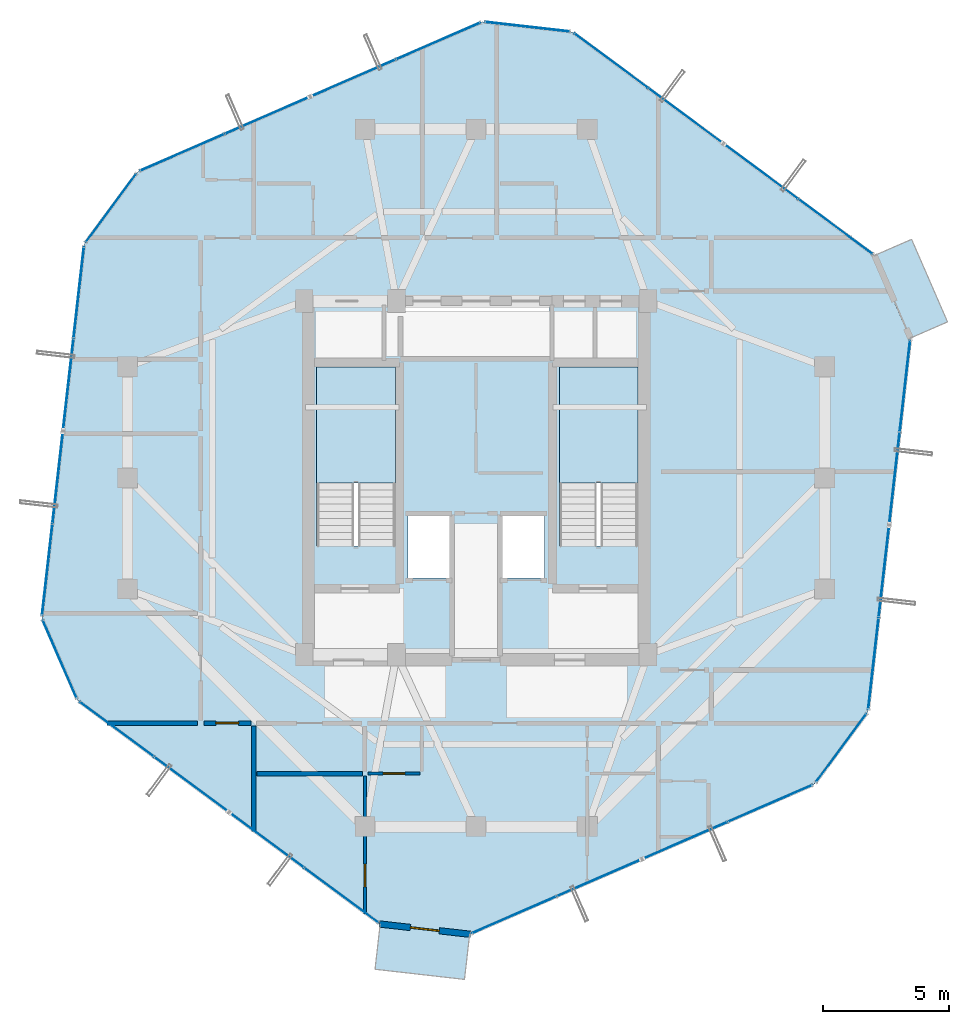
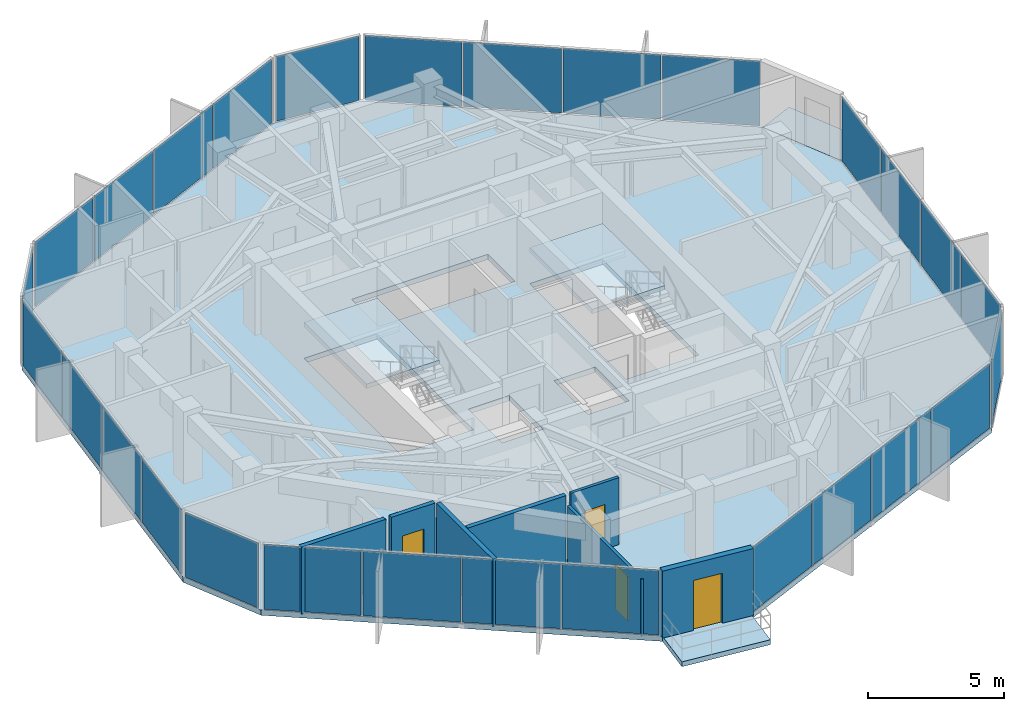
# One storey, part 25 of 30: 28 plates, 7 walls, 5 slabs, 4 doors, 4 openings, 12 elements without a shape of their own.
"""IFC4 building model written with IfcOpenShell, lengths in metres."""

from ifc_helpers import new_model, si_unit, direction, frame, frame_2d, origin, origin_2d, place, context, subcontext, project, spatial, polyline, rectangle, outline, extrude, source, transform, mapped, material, layer, layer_set, type_object, element, fill, aggregate, save


model = new_model("IFC4")

# Units and contexts
model_context = context("Model", 3, precision=1e-05, world=origin(), true_north=direction((0.0, 1.0)))
body_context = subcontext(model_context, "Body", "Model", "MODEL_VIEW")
ifc_project = project(units=[si_unit("LENGTHUNIT", "METRE"), si_unit("AREAUNIT", "SQUARE_METRE"), si_unit("VOLUMEUNIT", "CUBIC_METRE"), si_unit("PLANEANGLEUNIT", "RADIAN"), si_unit("MASSUNIT", "GRAM", prefix="KILO")], contexts=[model_context])

# Site, building, storey
site_placement = place(None, origin())
site = spatial("IfcSite", under=ifc_project, at=site_placement, CompositionType="ELEMENT")
building_placement = place(site_placement, origin())
building = spatial("IfcBuilding", under=site, at=building_placement, Name="Veraguas Prism Commons", CompositionType="ELEMENT")
storey_placement = place(building_placement, frame((0.0, 0.0, 230.050048828125)))
storey = spatial("IfcBuildingStorey", under=building, at=storey_placement, Name="L65", CompositionType="ELEMENT", Elevation=230.050048828125)

# Stair, slab
ifc_material_1 = material(Name="Precast concrete C45/55", Category="concrete")
stair_type = type_object("IfcStairType", Name="Dogleg Core Stair 1480W 20R 05", PredefinedType="HALF_TURN_STAIR", material=ifc_material_1)
stair_1_placement = place(storey_placement, origin())
stair_1 = element("IfcStair", 1, at=stair_1_placement, inside=storey, type_object=stair_type, Name="Protected Exit Stair ST-01 L65", PredefinedType="HALF_TURN_STAIR")
ifc_layer_1 = layer(ifc_material_1, 0.199951171875, Name="Precast Stair and Ramp Landing Slab 200", Category="concrete")
ifc_layer_set_1 = layer_set([ifc_layer_1], Name="Precast concrete C45/55")
slab_type_1 = type_object("IfcSlabType", Name="Precast Stair and Ramp Landing Slab 200", PredefinedType="LANDING", material=ifc_layer_set_1)
slab_1_placement = place(storey_placement, frame((0.0, 0.0, 1.425048828125)))
slab_1 = element("IfcSlab", 2, at=slab_1_placement, type_object=slab_type_1, Name="ST-05 Landing 1", PredefinedType="LANDING", context=body_context, shape_type="SweptSolid", body=[
    extrude(outline(polyline([(20.800048828125, 23.800048828125), (20.800048828125, 28.39990234375), (17.68994140625, 28.39990234375), (17.68994140625, 23.800048828125), (20.800048828125, 23.800048828125)])), origin(), (0.0, 0.0, 1.0), 0.199951171875),
])
aggregate(stair_1, [slab_1])

stair_2_placement = place(storey_placement, origin())
stair_2 = element("IfcStair", 3, at=stair_2_placement, inside=storey, type_object=stair_type, Name="Protected Exit Stair ST-02 L65", PredefinedType="HALF_TURN_STAIR")
slab_2_placement = place(storey_placement, frame((0.0, 0.0, 1.425048828125)))
slab_2 = element("IfcSlab", 4, at=slab_2_placement, type_object=slab_type_1, Name="ST-05 Landing 1", PredefinedType="LANDING", context=body_context, shape_type="SweptSolid", body=[
    extrude(outline(polyline([(30.39990234375, 23.800048828125), (30.39990234375, 28.39990234375), (27.2900390625, 28.39990234375), (27.2900390625, 23.800048828125), (30.39990234375, 23.800048828125)])), origin(), (0.0, 0.0, 1.0), 0.199951171875),
])
aggregate(stair_2, [slab_2])

# Slabs
ifc_material_2 = material(Name="Concrete C45/55", Category="concrete")
ifc_layer_2 = layer(ifc_material_2, 0.219970703125, Name="Recessed Loggia and Terrace Slab RC 220", Category="concrete")
ifc_layer_set_2 = layer_set([ifc_layer_2], Name="Concrete C45/55")
slab_type_2 = type_object("IfcSlabType", Name="Recessed Loggia and Terrace Slab RC 220", PredefinedType="FLOOR", material=ifc_layer_set_2)
slab_3_placement = place(storey_placement, frame((0.0, 0.0, -0.219970703125)))
element("IfcSlab", 5, at=slab_3_placement, inside=storey, type_object=slab_type_2, Name="Recessed Corner Loggia L65-C1", PredefinedType="FLOOR", context=body_context, shape_type="SweptSolid", body=[
    extrude(outline(polyline([(41.171142578125, 29.530517578125), (42.656494140625, 30.177001953125), (41.23486328125, 33.443603515625), (39.74951171875, 32.797119140625), (41.171142578125, 29.530517578125)])), origin(), (0.0, 0.0, 1.0), 0.219970703125),
])
slab_4_placement = place(storey_placement, frame((0.0, 0.0, -0.219970703125)))
element("IfcSlab", 6, at=slab_4_placement, inside=storey, type_object=slab_type_2, Name="Setback Sky Terrace L65", PredefinedType="FLOOR", context=body_context, shape_type="SweptSolid", body=[
    extrude(outline(polyline([(20.2041015625, 6.364013671875), (19.998779296875, 4.5556640625), (23.53857421875, 4.15380859375), (23.743896484375, 5.962158203125), (20.2041015625, 6.364013671875)])), origin(), (0.0, 0.0, 1.0), 0.219970703125),
])
ifc_layer_3 = layer(ifc_material_2, 0.235107421875, Name="Tower Upper Residential Floor Slab RC 235", Category="concrete")
ifc_layer_set_3 = layer_set([ifc_layer_3], Name="Concrete C45/55")
slab_type_3 = type_object("IfcSlabType", Name="Tower Upper Residential Floor Slab RC 235", PredefinedType="FLOOR", material=ifc_layer_set_3)
slab_5_placement = place(storey_placement, frame((0.0, 0.0, -0.235107421875)))
element("IfcSlab", 7, at=slab_5_placement, inside=storey, type_object=slab_type_3, Name="Tower Floor Slab L65", PredefinedType="FLOOR", context=body_context, shape_type="SweptSolid", body=[
    extrude(outline(polyline([(41.189453125, 29.53857421875), (39.767578125, 32.80517578125), (27.798095703125, 41.65576171875), (24.25830078125, 42.057861328125), (10.608642578125, 36.1171875), (8.49072265625, 33.252685546875), (6.810546875, 18.46142578125), (8.232421875, 15.19482421875), (20.201904296875, 6.34423828125), (23.74169921875, 5.942138671875), (37.391357421875, 11.8828125), (39.50927734375, 14.747314453125), (41.189453125, 29.53857421875)]), holes=[polyline([(20.800048828125, 21.31005859375), (20.800048828125, 28.39990234375), (17.68994140625, 28.39990234375), (17.68994140625, 21.31005859375), (20.800048828125, 21.31005859375)]), polyline([(30.39990234375, 21.31005859375), (30.39990234375, 28.39990234375), (27.2900390625, 28.39990234375), (27.2900390625, 21.31005859375), (30.39990234375, 21.31005859375)]), polyline([(21.10009765625, 28.800048828125), (26.89990234375, 28.800048828125), (26.89990234375, 30.800048828125), (21.10009765625, 30.800048828125), (21.10009765625, 28.800048828125)]), polyline([(21.300048828125, 20.050048828125), (23.050048828125, 20.050048828125), (23.050048828125, 22.550048828125), (21.300048828125, 22.550048828125), (21.300048828125, 20.050048828125)]), polyline([(24.949951171875, 20.050048828125), (26.699951171875, 20.050048828125), (26.699951171875, 22.550048828125), (24.949951171875, 22.550048828125), (24.949951171875, 20.050048828125)])]), origin(), (0.0, 0.0, 1.0), 0.235107421875),
])

# Curtain wall, plates
ifc_material_3 = material(Name="Anodised aluminium EN AW-6063 T6", Category="aluminium")
ifc_layer_4 = layer(ifc_material_3, 0.14990234375, Name="Unitised Flush Curtain Wall Zone 4", Category="aluminium")
ifc_layer_set_4 = layer_set([ifc_layer_4], Name="Anodised aluminium EN AW-6063 T6")
curtain_wall_type = type_object("IfcCurtainWallType", Name="Unitised Flush Curtain Wall Zone 4", PredefinedType="NOTDEFINED", material=ifc_layer_set_4)
curtain_wall_1_placement = place(storey_placement, origin())
curtain_wall_1 = element("IfcCurtainWall", 8, at=curtain_wall_1_placement, inside=storey, type_object=curtain_wall_type, Name="Tower Facade Curtain Wall L65-F1", PredefinedType="NOTDEFINED")
ifc_material_4 = material(Name="Laminated low-e glass", Category="glass")
ifc_layer_5 = layer(ifc_material_4, 0.028076171875, Name="Unitised Double Low-E Glazed Panel 28", Category="glass")
ifc_layer_set_5 = layer_set([ifc_layer_5], Name="Laminated low-e glass")
plate_type = type_object("IfcPlateType", Name="Unitised Double Low-E Glazed Panel 28", PredefinedType="CURTAIN_PANEL", material=ifc_layer_set_5)
shared_shape_1 = source(origin(), body_context, "Body", "SweptSolid", [
    extrude(rectangle(XDim=3.6015625, YDim=0.028076171875, at=origin_2d()), origin(), (0.0, 0.0, 1.0), 2.905029296875),
])
plate_1_placement = place(storey_placement, frame((38.223388671875, 33.947265625, 0.05517578125), z_axis=(0.0, 0.0, 1.0), x_axis=(-0.804067556966, 0.59453794146, 0.0)))
plate_1 = element("IfcPlate", 9, at=plate_1_placement, type_object=plate_type, Name="CW-Z4 Panel 1.1", PredefinedType="CURTAIN_PANEL", context=body_context, shape_type="MappedRepresentation", body=[
    mapped(shared_shape_1, transform((0.0, 0.0, 0.0), scale=1.0)),
])
plate_2_placement = place(storey_placement, frame((29.342529296875, 40.513671875, 0.05517578125), z_axis=(0.0, 0.0, 1.0), x_axis=(-0.804067556966, 0.59453794146, 0.0)))
plate_2 = element("IfcPlate", 10, at=plate_2_placement, type_object=plate_type, Name="CW-Z4 Panel 4.1", PredefinedType="CURTAIN_PANEL", context=body_context, shape_type="MappedRepresentation", body=[
    mapped(shared_shape_1, transform((0.0, 0.0, 0.0), scale=1.0)),
])

curtain_wall_2_placement = place(storey_placement, origin())
curtain_wall_2 = element("IfcCurtainWall", 11, at=curtain_wall_2_placement, inside=storey, type_object=curtain_wall_type, Name="Tower Facade Curtain Wall L65-F2", PredefinedType="NOTDEFINED")
plate_3_placement = place(storey_placement, frame((22.4970703125, 41.291259765625, 0.05517578125), z_axis=(0.0, 0.0, 1.0), x_axis=(-0.916918739301, -0.399073959961, 0.0)))
plate_3 = element("IfcPlate", 12, at=plate_3_placement, type_object=plate_type, Name="CW-Z4 Panel 1.1", PredefinedType="CURTAIN_PANEL", context=body_context, shape_type="MappedRepresentation", body=[
    mapped(shared_shape_1, transform((0.0, 0.0, 0.0), scale=1.0)),
])
plate_4_placement = place(storey_placement, frame((12.369873046875, 36.883544921875, 0.05517578125), z_axis=(0.0, 0.0, 1.0), x_axis=(-0.916918739301, -0.399073959961, 0.0)))
plate_4 = element("IfcPlate", 13, at=plate_4_placement, type_object=plate_type, Name="CW-Z4 Panel 4.1", PredefinedType="CURTAIN_PANEL", context=body_context, shape_type="MappedRepresentation", body=[
    mapped(shared_shape_1, transform((0.0, 0.0, 0.0), scale=1.0)),
])

curtain_wall_3_placement = place(storey_placement, origin())
curtain_wall_3 = element("IfcCurtainWall", 14, at=curtain_wall_3_placement, inside=storey, type_object=curtain_wall_type, Name="Tower Facade Curtain Wall L65-F3", PredefinedType="NOTDEFINED")
plate_5_placement = place(storey_placement, frame((8.27392578125, 31.343994140625, 0.05517578125), z_axis=(0.0, 0.0, 1.0), x_axis=(-0.112858119052, -0.993611113547, 0.0)))
plate_5 = element("IfcPlate", 15, at=plate_5_placement, type_object=plate_type, Name="CW-Z4 Panel 1.1", PredefinedType="CURTAIN_PANEL", context=body_context, shape_type="MappedRepresentation", body=[
    mapped(shared_shape_1, transform((0.0, 0.0, 0.0), scale=1.0)),
])
plate_6_placement = place(storey_placement, frame((7.02734375, 20.369873046875, 0.05517578125), z_axis=(0.0, 0.0, 1.0), x_axis=(-0.112858119052, -0.993611113547, 0.0)))
plate_6 = element("IfcPlate", 16, at=plate_6_placement, type_object=plate_type, Name="CW-Z4 Panel 4.1", PredefinedType="CURTAIN_PANEL", context=body_context, shape_type="MappedRepresentation", body=[
    mapped(shared_shape_1, transform((0.0, 0.0, 0.0), scale=1.0)),
])

curtain_wall_4_placement = place(storey_placement, origin())
curtain_wall_4 = element("IfcCurtainWall", 17, at=curtain_wall_4_placement, inside=storey, type_object=curtain_wall_type, Name="Tower Facade Curtain Wall L65-F4", PredefinedType="NOTDEFINED")
plate_7_placement = place(storey_placement, frame((9.776611328125, 14.052734375, 0.05517578125), z_axis=(0.0, 0.0, 1.0), x_axis=(0.804067556966, -0.59453794146, 0.0)))
plate_7 = element("IfcPlate", 18, at=plate_7_placement, type_object=plate_type, Name="CW-Z4 Panel 1.1", PredefinedType="CURTAIN_PANEL", context=body_context, shape_type="MappedRepresentation", body=[
    mapped(shared_shape_1, transform((0.0, 0.0, 0.0), scale=1.0)),
])
plate_8_placement = place(storey_placement, frame((18.657470703125, 7.486328125, 0.05517578125), z_axis=(0.0, 0.0, 1.0), x_axis=(0.804067556966, -0.59453794146, 0.0)))
plate_8 = element("IfcPlate", 19, at=plate_8_placement, type_object=plate_type, Name="CW-Z4 Panel 4.1", PredefinedType="CURTAIN_PANEL", context=body_context, shape_type="MappedRepresentation", body=[
    mapped(shared_shape_1, transform((0.0, 0.0, 0.0), scale=1.0)),
])

curtain_wall_5_placement = place(storey_placement, origin())
curtain_wall_5 = element("IfcCurtainWall", 20, at=curtain_wall_5_placement, inside=storey, type_object=curtain_wall_type, Name="Tower Facade Curtain Wall L65-F5", PredefinedType="NOTDEFINED")
plate_9_placement = place(storey_placement, frame((25.5029296875, 6.708740234375, 0.05517578125), z_axis=(0.0, 0.0, 1.0), x_axis=(0.916918739301, 0.399073959961, 0.0)))
plate_9 = element("IfcPlate", 21, at=plate_9_placement, type_object=plate_type, Name="CW-Z4 Panel 1.1", PredefinedType="CURTAIN_PANEL", context=body_context, shape_type="MappedRepresentation", body=[
    mapped(shared_shape_1, transform((0.0, 0.0, 0.0), scale=1.0)),
])
plate_10_placement = place(storey_placement, frame((35.630126953125, 11.116455078125, 0.05517578125), z_axis=(0.0, 0.0, 1.0), x_axis=(0.916918739301, 0.399073959961, 0.0)))
plate_10 = element("IfcPlate", 22, at=plate_10_placement, type_object=plate_type, Name="CW-Z4 Panel 4.1", PredefinedType="CURTAIN_PANEL", context=body_context, shape_type="MappedRepresentation", body=[
    mapped(shared_shape_1, transform((0.0, 0.0, 0.0), scale=1.0)),
])

curtain_wall_6_placement = place(storey_placement, origin())
curtain_wall_6 = element("IfcCurtainWall", 23, at=curtain_wall_6_placement, inside=storey, type_object=curtain_wall_type, Name="Tower Facade Curtain Wall L65-F6", PredefinedType="NOTDEFINED")
plate_11_placement = place(storey_placement, frame((39.72607421875, 16.656005859375, 0.05517578125), z_axis=(0.0, 0.0, 1.0), x_axis=(0.112858119052, 0.993611113547, 0.0)))
plate_11 = element("IfcPlate", 24, at=plate_11_placement, type_object=plate_type, Name="CW-Z4 Panel 1.1", PredefinedType="CURTAIN_PANEL", context=body_context, shape_type="MappedRepresentation", body=[
    mapped(shared_shape_1, transform((0.0, 0.0, 0.0), scale=1.0)),
])
plate_12_placement = place(storey_placement, frame((40.97265625, 27.630126953125, 0.05517578125), z_axis=(0.0, 0.0, 1.0), x_axis=(0.112858119052, 0.993611113547, 0.0)))
plate_12 = element("IfcPlate", 25, at=plate_12_placement, type_object=plate_type, Name="CW-Z4 Panel 4.1", PredefinedType="CURTAIN_PANEL", context=body_context, shape_type="MappedRepresentation", body=[
    mapped(shared_shape_1, transform((0.0, 0.0, 0.0), scale=1.0)),
])

# Plate
shared_shape_2 = source(origin(), body_context, "Body", "SweptSolid", [
    extrude(rectangle(XDim=3.631591796875, YDim=0.028076171875, at=origin_2d()), origin(), (0.0, 0.0, 1.0), 2.905029296875),
])
plate_13_placement = place(storey_placement, frame((35.26708984375, 36.133056640625, 0.05517578125), z_axis=(0.0, 0.0, 1.0), x_axis=(-0.804067556966, 0.59453794146, 0.0)))
plate_13 = element("IfcPlate", 26, at=plate_13_placement, type_object=plate_type, Name="CW-Z4 Panel 2.1", PredefinedType="CURTAIN_PANEL", context=body_context, shape_type="MappedRepresentation", body=[
    mapped(shared_shape_2, transform((0.0, 0.0, 0.0), scale=1.0)),
])

plate_14_placement = place(storey_placement, frame((32.298828125, 38.327880859375, 0.05517578125), z_axis=(0.0, 0.0, 1.0), x_axis=(-0.804067556966, 0.59453794146, 0.0)))
plate_14 = element("IfcPlate", 27, at=plate_14_placement, type_object=plate_type, Name="CW-Z4 Panel 3.1", PredefinedType="CURTAIN_PANEL", context=body_context, shape_type="MappedRepresentation", body=[
    mapped(shared_shape_2, transform((0.0, 0.0, 0.0), scale=1.0)),
])

aggregate(curtain_wall_1, [plate_1, plate_13, plate_14, plate_2])

plate_15_placement = place(storey_placement, frame((19.1259765625, 39.823974609375, 0.05517578125), z_axis=(0.0, 0.0, 1.0), x_axis=(-0.916918739301, -0.399073959961, 0.0)))
plate_15 = element("IfcPlate", 28, at=plate_15_placement, type_object=plate_type, Name="CW-Z4 Panel 2.1", PredefinedType="CURTAIN_PANEL", context=body_context, shape_type="MappedRepresentation", body=[
    mapped(shared_shape_2, transform((0.0, 0.0, 0.0), scale=1.0)),
])

plate_16_placement = place(storey_placement, frame((15.740966796875, 38.350830078125, 0.05517578125), z_axis=(0.0, 0.0, 1.0), x_axis=(-0.916918739301, -0.399073959961, 0.0)))
plate_16 = element("IfcPlate", 29, at=plate_16_placement, type_object=plate_type, Name="CW-Z4 Panel 3.1", PredefinedType="CURTAIN_PANEL", context=body_context, shape_type="MappedRepresentation", body=[
    mapped(shared_shape_2, transform((0.0, 0.0, 0.0), scale=1.0)),
])

aggregate(curtain_wall_2, [plate_3, plate_15, plate_16, plate_4])

plate_17_placement = place(storey_placement, frame((7.85888671875, 27.69091796875, 0.05517578125), z_axis=(0.0, 0.0, 1.0), x_axis=(-0.112858119052, -0.993611113547, 0.0)))
plate_17 = element("IfcPlate", 30, at=plate_17_placement, type_object=plate_type, Name="CW-Z4 Panel 2.1", PredefinedType="CURTAIN_PANEL", context=body_context, shape_type="MappedRepresentation", body=[
    mapped(shared_shape_2, transform((0.0, 0.0, 0.0), scale=1.0)),
])

plate_18_placement = place(storey_placement, frame((7.4423828125, 24.02294921875, 0.05517578125), z_axis=(0.0, 0.0, 1.0), x_axis=(-0.112858119052, -0.993611113547, 0.0)))
plate_18 = element("IfcPlate", 31, at=plate_18_placement, type_object=plate_type, Name="CW-Z4 Panel 3.1", PredefinedType="CURTAIN_PANEL", context=body_context, shape_type="MappedRepresentation", body=[
    mapped(shared_shape_2, transform((0.0, 0.0, 0.0), scale=1.0)),
])

aggregate(curtain_wall_3, [plate_5, plate_17, plate_18, plate_6])

plate_19_placement = place(storey_placement, frame((12.73291015625, 11.866943359375, 0.05517578125), z_axis=(0.0, 0.0, 1.0), x_axis=(0.804067556966, -0.59453794146, 0.0)))
plate_19 = element("IfcPlate", 32, at=plate_19_placement, type_object=plate_type, Name="CW-Z4 Panel 2.1", PredefinedType="CURTAIN_PANEL", context=body_context, shape_type="MappedRepresentation", body=[
    mapped(shared_shape_2, transform((0.0, 0.0, 0.0), scale=1.0)),
])

plate_20_placement = place(storey_placement, frame((15.701171875, 9.672119140625, 0.05517578125), z_axis=(0.0, 0.0, 1.0), x_axis=(0.804067556966, -0.59453794146, 0.0)))
plate_20 = element("IfcPlate", 33, at=plate_20_placement, type_object=plate_type, Name="CW-Z4 Panel 3.1", PredefinedType="CURTAIN_PANEL", context=body_context, shape_type="MappedRepresentation", body=[
    mapped(shared_shape_2, transform((0.0, 0.0, 0.0), scale=1.0)),
])

aggregate(curtain_wall_4, [plate_7, plate_19, plate_20, plate_8])

plate_21_placement = place(storey_placement, frame((28.8740234375, 8.176025390625, 0.05517578125), z_axis=(0.0, 0.0, 1.0), x_axis=(0.916918739301, 0.399073959961, 0.0)))
plate_21 = element("IfcPlate", 34, at=plate_21_placement, type_object=plate_type, Name="CW-Z4 Panel 2.1", PredefinedType="CURTAIN_PANEL", context=body_context, shape_type="MappedRepresentation", body=[
    mapped(shared_shape_2, transform((0.0, 0.0, 0.0), scale=1.0)),
])

plate_22_placement = place(storey_placement, frame((32.259033203125, 9.649169921875, 0.05517578125), z_axis=(0.0, 0.0, 1.0), x_axis=(0.916918739301, 0.399073959961, 0.0)))
plate_22 = element("IfcPlate", 35, at=plate_22_placement, type_object=plate_type, Name="CW-Z4 Panel 3.1", PredefinedType="CURTAIN_PANEL", context=body_context, shape_type="MappedRepresentation", body=[
    mapped(shared_shape_2, transform((0.0, 0.0, 0.0), scale=1.0)),
])

aggregate(curtain_wall_5, [plate_9, plate_21, plate_22, plate_10])

plate_23_placement = place(storey_placement, frame((40.14111328125, 20.30908203125, 0.05517578125), z_axis=(0.0, 0.0, 1.0), x_axis=(0.112858119052, 0.993611113547, 0.0)))
plate_23 = element("IfcPlate", 36, at=plate_23_placement, type_object=plate_type, Name="CW-Z4 Panel 2.1", PredefinedType="CURTAIN_PANEL", context=body_context, shape_type="MappedRepresentation", body=[
    mapped(shared_shape_2, transform((0.0, 0.0, 0.0), scale=1.0)),
])

plate_24_placement = place(storey_placement, frame((40.5576171875, 23.97705078125, 0.05517578125), z_axis=(0.0, 0.0, 1.0), x_axis=(0.112858119052, 0.993611113547, 0.0)))
plate_24 = element("IfcPlate", 37, at=plate_24_placement, type_object=plate_type, Name="CW-Z4 Panel 3.1", PredefinedType="CURTAIN_PANEL", context=body_context, shape_type="MappedRepresentation", body=[
    mapped(shared_shape_2, transform((0.0, 0.0, 0.0), scale=1.0)),
])

aggregate(curtain_wall_6, [plate_11, plate_23, plate_24, plate_12])

# Curtain wall, plate
curtain_wall_7_placement = place(storey_placement, origin())
curtain_wall_7 = element("IfcCurtainWall", 38, at=curtain_wall_7_placement, inside=storey, type_object=curtain_wall_type, Name="Chamfer Curtain Wall L65-C2", PredefinedType="NOTDEFINED")
shared_shape_3 = source(origin(), body_context, "Body", "SweptSolid", [
    extrude(rectangle(XDim=3.322509765625, YDim=0.028076171875, at=origin_2d()), origin(), (0.0, 0.0, 1.0), 2.905029296875),
])
plate_25_placement = place(storey_placement, frame((26.0283203125, 41.856689453125, 0.05517578125), z_axis=(0.0, 0.0, 1.0), x_axis=(-0.993615249346, 0.112821701227, 0.0)))
plate_25 = element("IfcPlate", 39, at=plate_25_placement, type_object=plate_type, Name="CW-Z4 Panel 1.1", PredefinedType="CURTAIN_PANEL", context=body_context, shape_type="MappedRepresentation", body=[
    mapped(shared_shape_3, transform((0.0, 0.0, 0.0), scale=1.0)),
])
aggregate(curtain_wall_7, [plate_25])

curtain_wall_8_placement = place(storey_placement, origin())
curtain_wall_8 = element("IfcCurtainWall", 40, at=curtain_wall_8_placement, inside=storey, type_object=curtain_wall_type, Name="Chamfer Curtain Wall L65-C3", PredefinedType="NOTDEFINED")
plate_26_placement = place(storey_placement, frame((9.5498046875, 34.684814453125, 0.05517578125), z_axis=(0.0, 0.0, 1.0), x_axis=(-0.594505663641, -0.8040914226, 0.0)))
plate_26 = element("IfcPlate", 41, at=plate_26_placement, type_object=plate_type, Name="CW-Z4 Panel 1.1", PredefinedType="CURTAIN_PANEL", context=body_context, shape_type="MappedRepresentation", body=[
    mapped(shared_shape_3, transform((0.0, 0.0, 0.0), scale=1.0)),
])
aggregate(curtain_wall_8, [plate_26])

curtain_wall_9_placement = place(storey_placement, origin())
curtain_wall_9 = element("IfcCurtainWall", 42, at=curtain_wall_9_placement, inside=storey, type_object=curtain_wall_type, Name="Chamfer Curtain Wall L65-C6", PredefinedType="NOTDEFINED")
plate_27_placement = place(storey_placement, frame((38.4501953125, 13.315185546875, 0.05517578125), z_axis=(0.0, 0.0, 1.0), x_axis=(0.594505663641, 0.8040914226, 0.0)))
plate_27 = element("IfcPlate", 43, at=plate_27_placement, type_object=plate_type, Name="CW-Z4 Panel 1.1", PredefinedType="CURTAIN_PANEL", context=body_context, shape_type="MappedRepresentation", body=[
    mapped(shared_shape_3, transform((0.0, 0.0, 0.0), scale=1.0)),
])
aggregate(curtain_wall_9, [plate_27])

curtain_wall_10_placement = place(storey_placement, origin())
curtain_wall_10 = element("IfcCurtainWall", 44, at=curtain_wall_10_placement, inside=storey, type_object=curtain_wall_type, Name="Chamfer Curtain Wall L65-C4", PredefinedType="NOTDEFINED")
shared_shape_4 = source(origin(), body_context, "Body", "SweptSolid", [
    extrude(rectangle(XDim=3.32275390625, YDim=0.028076171875, at=origin_2d()), origin(), (0.0, 0.0, 1.0), 2.905029296875),
])
plate_28_placement = place(storey_placement, frame((7.521484375, 16.828125, 0.05517578125), z_axis=(0.0, 0.0, 1.0), x_axis=(0.39908356189, -0.916914560158, 0.0)))
plate_28 = element("IfcPlate", 45, at=plate_28_placement, type_object=plate_type, Name="CW-Z4 Panel 1.1", PredefinedType="CURTAIN_PANEL", context=body_context, shape_type="MappedRepresentation", body=[
    mapped(shared_shape_4, transform((0.0, 0.0, 0.0), scale=1.0)),
])
aggregate(curtain_wall_10, [plate_28])

# Walls
ifc_material_5 = material(Name="Autoclaved aerated masonry block 10 MPa", Category="masonry")
ifc_layer_6 = layer(ifc_material_5, 0.179931640625, Name="Corridor and Inter-Tenancy Partition 180", Category="masonry")
ifc_layer_set_6 = layer_set([ifc_layer_6], Name="Autoclaved aerated masonry block 10 MPa")
wall_type_1 = type_object("IfcWallType", Name="Corridor and Inter-Tenancy Partition 180", PredefinedType="PARTITIONING", material=ifc_layer_set_6)
wall_1_placement = place(storey_placement, frame((15.199951171875, 14.179931640625, 0.0), z_axis=(0.0, 0.0, 1.0), x_axis=(0.0, -1.0, 0.0)))
element("IfcWall", 46, at=wall_1_placement, inside=storey, type_object=wall_type_1, Name="WL-L65-PT001", PredefinedType="PARTITIONING", context=body_context, shape_type="SweptSolid", body=[
    extrude(rectangle(XDim=4.174560546875, YDim=0.179931640625, at=frame_2d((2.08740234375, 0.0))), origin(), (0.0, 0.0, 1.0), 3.014892578125),
])
wall_2_placement = place(storey_placement, frame((15.320068359375, 12.300048828125, 0.0), z_axis=(0.0, 0.0, 1.0), x_axis=(1.0, 0.0, 0.0)))
element("IfcWall", 47, at=wall_2_placement, inside=storey, type_object=wall_type_1, Name="WL-L65-PT005", PredefinedType="PARTITIONING", context=body_context, shape_type="SweptSolid", body=[
    extrude(rectangle(XDim=4.179931640625, YDim=0.179931640625, at=frame_2d((2.08984375, 0.0))), origin(), (0.0, 0.0, 1.0), 3.014892578125),
])
wall_3_placement = place(storey_placement, frame((12.97998046875, 14.300048828125, 0.0), z_axis=(0.0, 0.0, 1.0), x_axis=(-1.0, 0.0, 0.0)))
element("IfcWall", 48, at=wall_3_placement, inside=storey, type_object=wall_type_1, Name="WL-L65-PT024", PredefinedType="PARTITIONING", context=body_context, shape_type="SweptSolid", body=[
    extrude(rectangle(XDim=3.587890625, YDim=0.179931640625, at=frame_2d((1.7939453125, 0.0))), origin(), (0.0, 0.0, 1.0), 3.014892578125),
])

# Wall, opening, door
wall_4_placement = place(storey_placement, frame((13.219970703125, 14.300048828125, 0.0), z_axis=(0.0, 0.0, 1.0), x_axis=(1.0, 0.0, 0.0)))
wall_4 = element("IfcWall", 49, at=wall_4_placement, inside=storey, type_object=wall_type_1, Name="WL-L65-PT040", PredefinedType="PARTITIONING", context=body_context, shape_type="SweptSolid", body=[
    extrude(rectangle(XDim=1.860107421875, YDim=0.179931640625, at=frame_2d((0.93017578125, 0.0))), origin(), (0.0, 0.0, 1.0), 3.014892578125),
])
opening_1_placement = place(wall_4_placement, frame((0.47998046875, 0.0, 0.0)))
opening_1 = element("IfcOpeningElement", 50, at=opening_1_placement, cuts=wall_4, Name="Opening DR-14", PredefinedType="OPENING", context=body_context, shape_type="SweptSolid", body=[
    extrude(rectangle(XDim=0.89990234375, YDim=2.010009765625, at=frame_2d((0.449951171875, 1.0048828125))), frame((0.0, 0.099853515625, 0.0), z_axis=(0.0, -1.0, 0.0), x_axis=(1.0, 0.0, 0.0)), (0.0, 0.0, 1.0), 0.199951171875),
])
ifc_material_6 = material(Name="Steel fire-rated door assembly", Category="steel")
door_type_1 = type_object("IfcDoorType", Name="Core Service Room Fire Door 900x2010", OperationType="NOTDEFINED", PredefinedType="DOOR", material=ifc_material_6)
shared_shape_5 = source(origin(), body_context, "Body", "SweptSolid", [
    extrude(rectangle(XDim=0.89990234375, YDim=2.010009765625, at=frame_2d((0.449951171875, 1.0048828125))), frame((0.0, 0.02490234375, 0.0), z_axis=(0.0, -1.0, 0.0), x_axis=(1.0, 0.0, 0.0)), (0.0, 0.0, 1.0), 0.050048828125),
])
door_1_placement = place(opening_1_placement, origin())
door_1 = element("IfcDoor", 51, at=door_1_placement, inside=storey, type_object=door_type_1, Name="Residents Study Room SW Door", OperationType="SINGLE_SWING_RIGHT", OverallHeight=2.010009765625, OverallWidth=0.89990234375, PredefinedType="DOOR", context=body_context, shape_type="MappedRepresentation", body=[
    mapped(shared_shape_5, transform((0.0, 0.0, 0.0), scale=1.0)),
])
fill(opening_1, door_1)

ifc_material_7 = material(Name="Precast concrete C40/50", Category="concrete")
ifc_layer_7 = layer(ifc_material_7, 0.25, Name="External Loggia and Portal Wall 250", Category="concrete")
ifc_layer_set_7 = layer_set([ifc_layer_7], Name="Precast concrete C40/50")
wall_type_2 = type_object("IfcWallType", Name="External Loggia and Portal Wall 250", PredefinedType="SOLIDWALL", material=ifc_layer_set_7)
wall_5_placement = place(storey_placement, frame((20.162109375, 6.3486328125, 0.0), z_axis=(0.0, 0.0, 1.0), x_axis=(0.993617723706, -0.112799907521, 0.0)))
wall_5 = element("IfcWall", 52, at=wall_5_placement, inside=storey, type_object=wall_type_2, Name="Corner Loggia Wall L65-C5", PredefinedType="SOLIDWALL", context=body_context, shape_type="SweptSolid", body=[
    extrude(rectangle(XDim=3.642578125, YDim=0.25, at=frame_2d((1.8212890625, 0.0))), origin(), (0.0, 0.0, 1.0), 3.014892578125),
])
opening_2_placement = place(wall_5_placement, frame((1.24609375, 0.0, 0.0)))
opening_2 = element("IfcOpeningElement", 53, at=opening_2_placement, cuts=wall_5, Name="Opening DR-10", PredefinedType="OPENING", context=body_context, shape_type="SweptSolid", body=[
    extrude(rectangle(XDim=1.14990234375, YDim=2.25, at=frame_2d((0.574951171875, 1.125))), frame((0.0, 0.135009765625, 0.0), z_axis=(0.0, -1.0, 0.0), x_axis=(1.0, 0.0, 0.0)), (0.0, 0.0, 1.0), 0.27001953125),
])
door_type_2 = type_object("IfcDoorType", Name="Glazed Loggia and Terrace Door 1150x2250", OperationType="NOTDEFINED", PredefinedType="DOOR", material=ifc_material_3)
shared_shape_6 = source(origin(), body_context, "Body", "SweptSolid", [
    extrude(rectangle(XDim=1.14990234375, YDim=2.25, at=frame_2d((0.574951171875, 1.125))), frame((0.0, 0.02490234375, 0.0), z_axis=(0.0, -1.0, 0.0), x_axis=(1.0, 0.0, 0.0)), (0.0, 0.0, 1.0), 0.050048828125),
])
door_2_placement = place(opening_2_placement, frame((1.14990234375, 0.0, 0.0), z_axis=(0.0, 0.0, 1.0), x_axis=(-1.0, 0.0, 0.0)))
door_2 = element("IfcDoor", 54, at=door_2_placement, inside=storey, type_object=door_type_2, Name="Recessed Loggia Door L65-C5", OperationType="SINGLE_SWING_LEFT", OverallHeight=2.25, OverallWidth=1.14990234375, PredefinedType="DOOR", context=body_context, shape_type="MappedRepresentation", body=[
    mapped(shared_shape_6, transform((0.0, 0.0, 0.0), scale=1.0)),
])
fill(opening_2, door_2)

ifc_material_8 = material(Name="Lightweight acoustic gypsum board")
ifc_layer_8 = layer(ifc_material_8, 0.125, Name="Internal Apartment Room Partition 125")
ifc_layer_set_8 = layer_set([ifc_layer_8], Name="Lightweight acoustic gypsum board")
wall_type_3 = type_object("IfcWallType", Name="Internal Apartment Room Partition 125", PredefinedType="PARTITIONING", material=ifc_layer_set_8)
wall_6_placement = place(storey_placement, frame((19.60009765625, 12.199951171875, 0.0), z_axis=(0.0, 0.0, 1.0), x_axis=(0.0, -1.0, 0.0)))
wall_6 = element("IfcWall", 55, at=wall_6_placement, inside=storey, type_object=wall_type_3, Name="WL-L65-PT007", PredefinedType="PARTITIONING", context=body_context, shape_type="SweptSolid", body=[
    extrude(rectangle(XDim=5.447998046875, YDim=0.125, at=frame_2d((2.72412109375, 0.0))), origin(), (0.0, 0.0, 1.0), 2.54296875),
])
opening_3_placement = place(wall_6_placement, frame((3.48388671875, 0.0, 0.0)))
opening_3 = element("IfcOpeningElement", 56, at=opening_3_placement, cuts=wall_6, Name="Opening DR-02", PredefinedType="OPENING", context=body_context, shape_type="SweptSolid", body=[
    extrude(rectangle(XDim=0.89990234375, YDim=2.010009765625, at=frame_2d((0.449951171875, 1.0048828125))), frame((0.0, 0.072509765625, 0.0), z_axis=(0.0, -1.0, 0.0), x_axis=(1.0, 0.0, 0.0)), (0.0, 0.0, 1.0), 0.14501953125),
])
ifc_material_9 = material(Name="Timber solid core hardwood", Category="wood")
door_type_3 = type_object("IfcDoorType", Name="Internal Habitable Room Door 900x2010", OperationType="NOTDEFINED", PredefinedType="DOOR", material=ifc_material_9)
door_3_placement = place(opening_3_placement, origin())
door_3 = element("IfcDoor", 57, at=door_3_placement, inside=storey, type_object=door_type_3, Name="Flat 65A Bedroom 2 Door", OperationType="SINGLE_SWING_LEFT", OverallHeight=2.010009765625, OverallWidth=0.89990234375, PredefinedType="DOOR", context=body_context, shape_type="MappedRepresentation", body=[
    mapped(shared_shape_5, transform((0.0, 0.0, 0.0), scale=1.0)),
])
fill(opening_3, door_3)

wall_7_placement = place(storey_placement, frame((19.719970703125, 12.300048828125, 0.0), z_axis=(0.0, 0.0, 1.0), x_axis=(1.0, 0.0, 0.0)))
wall_7 = element("IfcWall", 58, at=wall_7_placement, inside=storey, type_object=wall_type_3, Name="WL-L65-PT009", PredefinedType="PARTITIONING", context=body_context, shape_type="SweptSolid", body=[
    extrude(rectangle(XDim=2.050048828125, YDim=0.125, at=frame_2d((1.02490234375, 0.0))), origin(), (0.0, 0.0, 1.0), 3.014892578125),
])
opening_4_placement = place(wall_7_placement, frame((0.594970703125, 0.0, 0.0)))
opening_4 = element("IfcOpeningElement", 59, at=opening_4_placement, cuts=wall_7, Name="Opening DR-03", PredefinedType="OPENING", context=body_context, shape_type="SweptSolid", body=[
    extrude(rectangle(XDim=0.860107421875, YDim=2.010009765625, at=frame_2d((0.43017578125, 1.0048828125))), frame((0.0, 0.072509765625, 0.0), z_axis=(0.0, -1.0, 0.0), x_axis=(1.0, 0.0, 0.0)), (0.0, 0.0, 1.0), 0.14501953125),
])
ifc_material_10 = material(Name="Timber moisture-resistant leaf", Category="wood")
door_type_4 = type_object("IfcDoorType", Name="Internal Bathroom Door 860x2010", OperationType="NOTDEFINED", PredefinedType="DOOR", material=ifc_material_10)
shared_shape_7 = source(origin(), body_context, "Body", "SweptSolid", [
    extrude(rectangle(XDim=0.860107421875, YDim=2.010009765625, at=frame_2d((0.43017578125, 1.0048828125))), frame((0.0, 0.02490234375, 0.0), z_axis=(0.0, -1.0, 0.0), x_axis=(1.0, 0.0, 0.0)), (0.0, 0.0, 1.0), 0.050048828125),
])
door_4_placement = place(opening_4_placement, origin())
door_4 = element("IfcDoor", 60, at=door_4_placement, inside=storey, type_object=door_type_4, Name="Flat 65A Bathroom Door", OperationType="SINGLE_SWING_RIGHT", OverallHeight=2.010009765625, OverallWidth=0.860107421875, PredefinedType="DOOR", context=body_context, shape_type="MappedRepresentation", body=[
    mapped(shared_shape_7, transform((0.0, 0.0, 0.0), scale=1.0)),
])
fill(opening_4, door_4)

save(model, "model.ifc")
